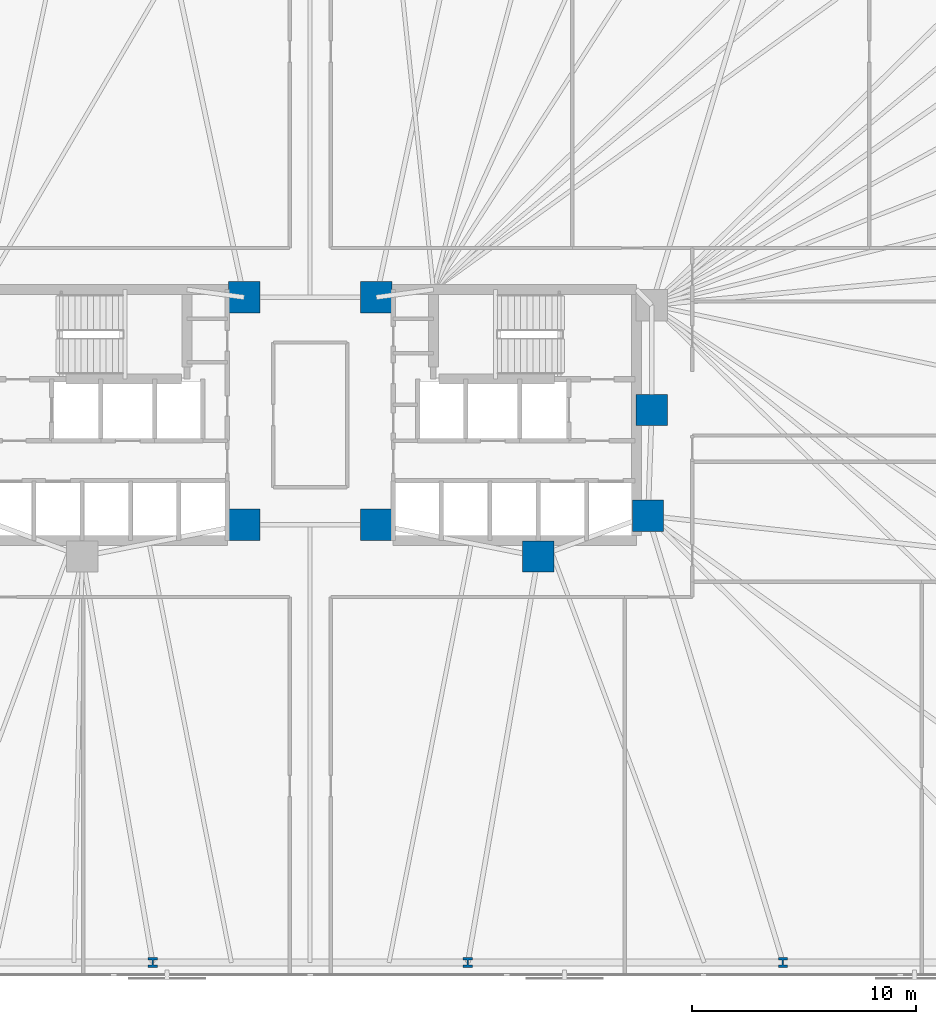
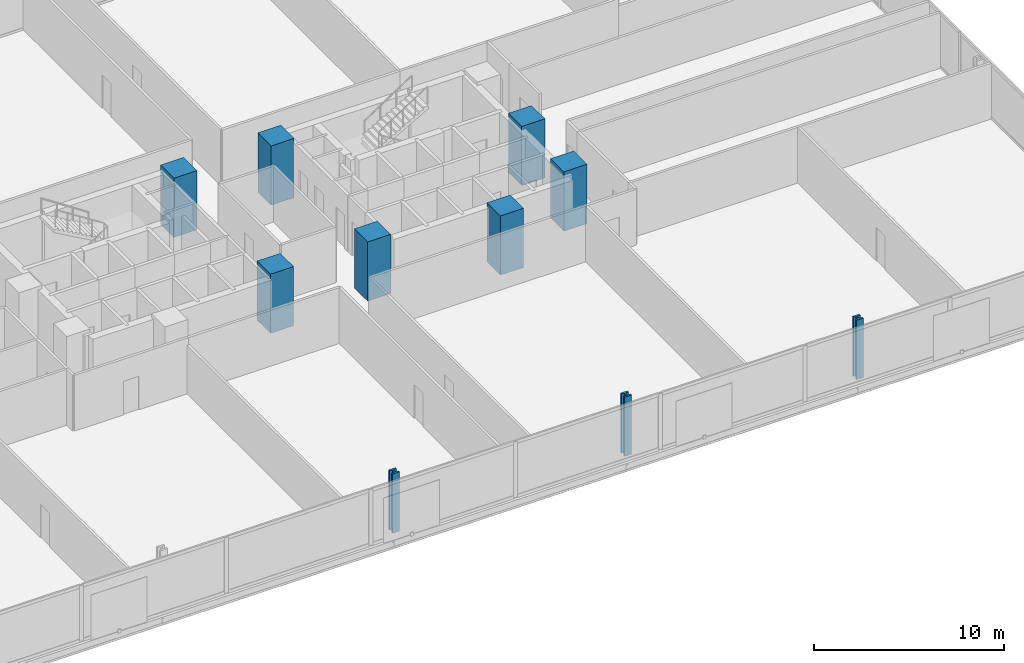
# One storey, part 3 of 17: 10 columns.
"""IFC4 building model written with IfcOpenShell, lengths in metres."""

from ifc_helpers import new_model, si_unit, direction, frame, origin, origin_2d, place, context, subcontext, project, spatial, rectangle, i_section, extrude, material, material_profile, profile_set, type_object, element, save


model = new_model("IFC4")

# Units and contexts
model_context = context("Model", 3, precision=1e-05, world=origin(), true_north=direction((0.0, 1.0)))
body_context = subcontext(model_context, "Body", "Model", "MODEL_VIEW")
ifc_project = project(units=[si_unit("LENGTHUNIT", "METRE"), si_unit("AREAUNIT", "SQUARE_METRE"), si_unit("VOLUMEUNIT", "CUBIC_METRE"), si_unit("PLANEANGLEUNIT", "RADIAN"), si_unit("MASSUNIT", "GRAM", prefix="KILO")], contexts=[model_context])

# Site, building, storey
site_placement = place(None, origin())
site = spatial("IfcSite", under=ifc_project, at=site_placement, CompositionType="ELEMENT")
building_placement = place(site_placement, origin())
building = spatial("IfcBuilding", under=site, at=building_placement, Name="Menara Jurai Vektor", CompositionType="ELEMENT")
storey_placement = place(building_placement, frame((0.0, 0.0, 18.0)))
storey = spatial("IfcBuildingStorey", under=building, at=storey_placement, Name="L03", CompositionType="ELEMENT", Elevation=18.0)

# Columns
ifc_material_1 = material(Name="Concrete C60/75", Category="concrete")
ifc_material_profile_1 = material_profile(ifc_material_1, rectangle(XDim=1.39990234375, YDim=1.39990234375, at=origin_2d()), Name="RC 1400x1400")
ifc_profile_set_1 = profile_set([ifc_material_profile_1], Name="Concrete C60/75")
column_type_1 = type_object("IfcColumnType", Name="STR-COL-RC1400", PredefinedType="COLUMN", material=ifc_profile_set_1)
for number, where, z_axis, x_axis, name in (
    (1, (-2.949951171875, -4.89990234375, 0.0), (0.0, 0.0, 1.0), (1.0, 0.0, 0.0), "Core Spine Column CW-SE L03"),
    (2, (-2.949951171875, 5.25, 0.0), (0.0, 0.0, 1.0), (1.0, 0.0, 0.0), "Core Spine Column CW-NE L03"),
    (3, (15.25, 0.219970703125, 0.0), (0.0, 0.0, 1.0), (1.0, 0.0, 0.0), "Core Spine Column CE-EM L03"),
    (4, (15.080078125, -4.5, 0.0), (0.0, 0.0, 1.0), (1.0, 0.0, 0.0), "Core Spine Column CE-SE L03"),
    (5, (10.179931640625, -6.320068359375, 0.0), (0.0, 0.0, 1.0), (1.0, 0.0, 0.0), "Core Spine Column CE-SM L03"),
    (6, (2.949951171875, -4.89990234375, 0.0), (0.0, 0.0, 1.0), (1.0, 0.0, 0.0), "Core Spine Column CE-SW L03"),
    (7, (2.949951171875, 5.25, 0.0), (0.0, 0.0, 1.0), (1.0, 0.0, 0.0), "Core Spine Column CE-NW L03"),
):
    element("IfcColumn", number, at=place(storey_placement, frame(where, z_axis=z_axis, x_axis=x_axis)), inside=storey, type_object=column_type_1, Name=name, PredefinedType="COLUMN", context=body_context, shape_type="SweptSolid", body=[
        extrude(rectangle(XDim=1.39990234375, YDim=1.39990234375, at=origin_2d()), origin(), (0.0, 0.0, 1.0), 3.800048828125),
    ])
ifc_material_2 = material(Name="Steel S460", Category="steel")
ifc_material_profile_2 = material_profile(ifc_material_2, i_section(OverallWidth=0.419921875, OverallDepth=0.430908203125, WebThickness=0.06494140625, FlangeThickness=0.10595703125, FilletRadius=0.014892578125, at=origin_2d()), Name="HD 400x900")
ifc_profile_set_2 = profile_set([ifc_material_profile_2], Name="Steel S460")
column_type_2 = type_object("IfcColumnType", Name="STR-EXO-BLK1", PredefinedType="COLUMN", material=ifc_profile_set_2)
for number, where, z_axis, x_axis, name in (
    (8, (-7.03564453125, -24.449951171875, 0.0), (0.0, 0.0, 1.0), (1.0, 0.0, 0.0), "Exoskeleton Column BLK1-S3 L03"),
    (9, (7.03564453125, -24.449951171875, 0.0), (0.0, 0.0, 1.0), (1.0, 0.0, 0.0), "Exoskeleton Column BLK1-S4 L03"),
    (10, (21.106689453125, -24.449951171875, 0.0), (0.0, 0.0, 1.0), (1.0, 0.0, 0.0), "Exoskeleton Column BLK1-S5 L03"),
):
    element("IfcColumn", number, at=place(storey_placement, frame(where, z_axis=z_axis, x_axis=x_axis)), inside=storey, type_object=column_type_2, Name=name, PredefinedType="COLUMN", context=body_context, shape_type="SweptSolid", body=[
        extrude(i_section(OverallWidth=0.419921875, OverallDepth=0.430908203125, WebThickness=0.06494140625, FlangeThickness=0.10595703125, FilletRadius=0.014892578125, at=origin_2d()), origin(), (0.0, 0.0, 1.0), 3.800048828125),
    ])

save(model, "model.ifc")
